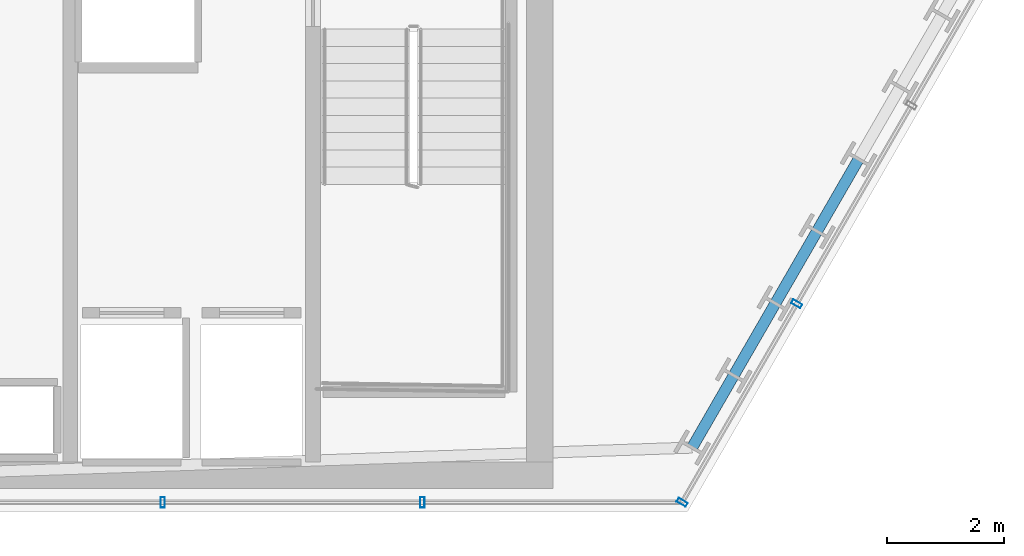
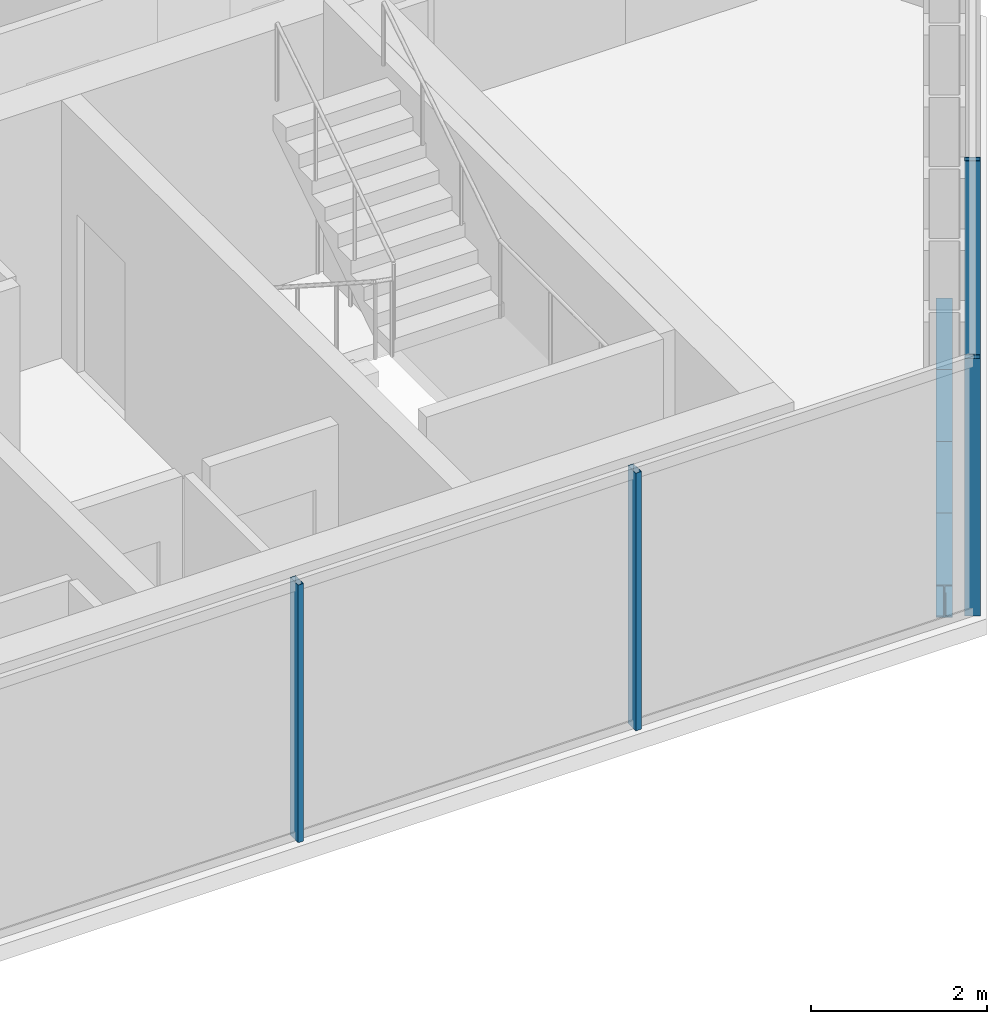
# One storey, part 15 of 31: 4 beams, 4 members, 2 elements without a shape of their own.
"""IFC4 building model written with IfcOpenShell, lengths in metres."""

from ifc_helpers import new_model, si_unit, direction, frame, origin, origin_2d, place, context, subcontext, project, spatial, hollow_rectangle, i_section, extrude, material, layer, layer_set, material_profile, profile_set, type_object, element, aggregate, save


model = new_model("IFC4")

# Units and contexts
model_context = context("Model", 3, precision=1e-05, world=origin(), true_north=direction((0.0, 1.0)))
body_context = subcontext(model_context, "Body", "Model", "MODEL_VIEW")
ifc_project = project(units=[si_unit("LENGTHUNIT", "METRE"), si_unit("AREAUNIT", "SQUARE_METRE"), si_unit("VOLUMEUNIT", "CUBIC_METRE"), si_unit("PLANEANGLEUNIT", "RADIAN"), si_unit("MASSUNIT", "GRAM", prefix="KILO")], contexts=[model_context])

# Site, building, storey
site_placement = place(None, origin())
site = spatial("IfcSite", under=ifc_project, at=site_placement, CompositionType="ELEMENT")
building_placement = place(site_placement, origin())
building = spatial("IfcBuilding", under=site, at=building_placement, Name="Ndaravel Arena Tower", CompositionType="ELEMENT")
storey_placement = place(building_placement, frame((0.0, 0.0, 142.199951171875)))
storey = spatial("IfcBuildingStorey", under=building, at=storey_placement, Name="L33", CompositionType="ELEMENT", Elevation=142.199951171875)

# Beams
ifc_material_1 = material(Name="Steel S355", Category="steel")
ifc_material_profile_1 = material_profile(ifc_material_1, i_section(OverallWidth=0.18994140625, OverallDepth=0.449951171875, WebThickness=0.009521484375, FlangeThickness=0.0146484375, FilletRadius=0.02099609375, at=origin_2d()), Name="IPE 450")
ifc_profile_set_1 = profile_set([ifc_material_profile_1], Name="Steel S355")
beam_type = type_object("IfcBeamType", Name="BM-SPAN-IPE450", PredefinedType="SPANDREL", material=ifc_profile_set_1)
for number, where, z_axis, x_axis, name in (
    (1, (59.931396484375, 6.096435546875, -0.445068359375), (0.500049018998, 0.865997100803, 0.0), (-0.865997100803, 0.500049018998, 0.0), "L33 Perimeter Spandrel Beam SP-02"),
    (2, (60.643310546875, 7.329345703125, -0.445068359375), (0.499920397431, 0.866071357471, 0.0), (-0.866071357471, 0.499920397431, 0.0), "L33 Perimeter Spandrel Beam SP-03"),
    (3, (61.35498046875, 8.562255859375, -0.445068359375), (0.500049018998, 0.865997100803, 0.0), (-0.865997100803, 0.500049018998, 0.0), "L33 Perimeter Spandrel Beam SP-04"),
    (4, (62.06689453125, 9.795166015625, -0.445068359375), (0.500049018998, 0.865997100803, 0.0), (-0.865997100803, 0.500049018998, 0.0), "L33 Perimeter Spandrel Beam SP-05"),
):
    element("IfcBeam", number, at=place(storey_placement, frame(where, z_axis=z_axis, x_axis=x_axis)), inside=storey, type_object=beam_type, Name=name, PredefinedType="SPANDREL", context=body_context, shape_type="SweptSolid", body=[
        extrude(i_section(OverallWidth=0.18994140625, OverallDepth=0.449951171875, WebThickness=0.009521484375, FlangeThickness=0.0146484375, FilletRadius=0.02099609375, at=origin_2d()), origin(), (0.0, 0.0, 1.0), 1.423583984375),
    ])

# Curtain wall, members
ifc_material_2 = material(Name="Aluminium", Category="aluminium")
ifc_layer_1 = layer(ifc_material_2, 0.179931640625)
ifc_layer_set_1 = layer_set([ifc_layer_1], Name="Aluminium")
curtain_wall_type_1 = type_object("IfcCurtainWallType", Name="CW-SYS-03", PredefinedType="NOTDEFINED", material=ifc_layer_set_1)
curtain_wall_1_placement = place(storey_placement, origin())
curtain_wall_1 = element("IfcCurtainWall", 5, at=curtain_wall_1_placement, inside=storey, type_object=curtain_wall_type_1, Name="L33 Faceted Crystal Curtain Wall CW-L33-E01", PredefinedType="NOTDEFINED")
ifc_material_3 = material(Name="Aluminium", Category="aluminium")
ifc_material_profile_2 = material_profile(ifc_material_3, hollow_rectangle(XDim=0.074951171875, YDim=0.179931640625, WallThickness=0.00390625, at=origin_2d()), Name="CW MULLION 75x180x4")
ifc_profile_set_2 = profile_set([ifc_material_profile_2], Name="Aluminium")
member_type = type_object("IfcMemberType", Name="MEM-CW-MUL180", PredefinedType="MULLION", material=ifc_profile_set_2)
member_1_placement = place(storey_placement, frame((50.880126953125, 5.159912109375, 0.0), z_axis=(0.0, 0.0, 1.0), x_axis=(1.0, 0.0, 0.0)))
member_1 = element("IfcMember", 6, at=member_1_placement, type_object=member_type, Name="CW-L33-E01 Mullion 06", PredefinedType="MULLION", context=body_context, shape_type="SweptSolid", body=[
    extrude(hollow_rectangle(XDim=0.074951171875, YDim=0.179931640625, WallThickness=0.00390625, at=origin_2d()), origin(), (0.0, 0.0, 1.0), 3.580078125),
])
member_2_placement = place(storey_placement, frame((55.320068359375, 5.159912109375, 0.0), z_axis=(0.0, 0.0, 1.0), x_axis=(1.0, 0.0, 0.0)))
member_2 = element("IfcMember", 7, at=member_2_placement, type_object=member_type, Name="CW-L33-E01 Mullion 07", PredefinedType="MULLION", context=body_context, shape_type="SweptSolid", body=[
    extrude(hollow_rectangle(XDim=0.074951171875, YDim=0.179931640625, WallThickness=0.00390625, at=origin_2d()), origin(), (0.0, 0.0, 1.0), 3.580078125),
])
aggregate(curtain_wall_1, [member_1, member_2])

ifc_material_4 = material(Name="Aluminium", Category="aluminium")
ifc_layer_2 = layer(ifc_material_4, 0.179931640625)
ifc_layer_set_2 = layer_set([ifc_layer_2], Name="Aluminium")
curtain_wall_type_2 = type_object("IfcCurtainWallType", Name="CW-SYS-01", PredefinedType="NOTDEFINED", material=ifc_layer_set_2)
curtain_wall_2_placement = place(storey_placement, origin())
curtain_wall_2 = element("IfcCurtainWall", 8, at=curtain_wall_2_placement, inside=storey, type_object=curtain_wall_type_2, Name="L33 Faceted Crystal Curtain Wall CW-L33-E02", PredefinedType="NOTDEFINED")
member_3_placement = place(storey_placement, frame((59.76025390625, 5.159912109375, 0.0), z_axis=(0.0, 0.0, 1.0), x_axis=(0.5, 0.866025403784, 0.0)))
member_3 = element("IfcMember", 9, at=member_3_placement, type_object=member_type, Name="CW-L33-E02 Mullion 00", PredefinedType="MULLION", context=body_context, shape_type="SweptSolid", body=[
    extrude(hollow_rectangle(XDim=0.074951171875, YDim=0.179931640625, WallThickness=0.00390625, at=origin_2d()), origin(), (0.0, 0.0, 1.0), 3.580078125),
])
member_4_placement = place(storey_placement, frame((61.719970703125, 8.554443359375, 0.0), z_axis=(0.0, 0.0, 1.0), x_axis=(0.5, 0.866025403784, 0.0)))
member_4 = element("IfcMember", 10, at=member_4_placement, type_object=member_type, Name="CW-L33-E02 Mullion 01", PredefinedType="MULLION", context=body_context, shape_type="SweptSolid", body=[
    extrude(hollow_rectangle(XDim=0.074951171875, YDim=0.179931640625, WallThickness=0.00390625, at=origin_2d()), origin(), (0.0, 0.0, 1.0), 3.580078125),
])
aggregate(curtain_wall_2, [member_3, member_4])

save(model, "model.ifc")
